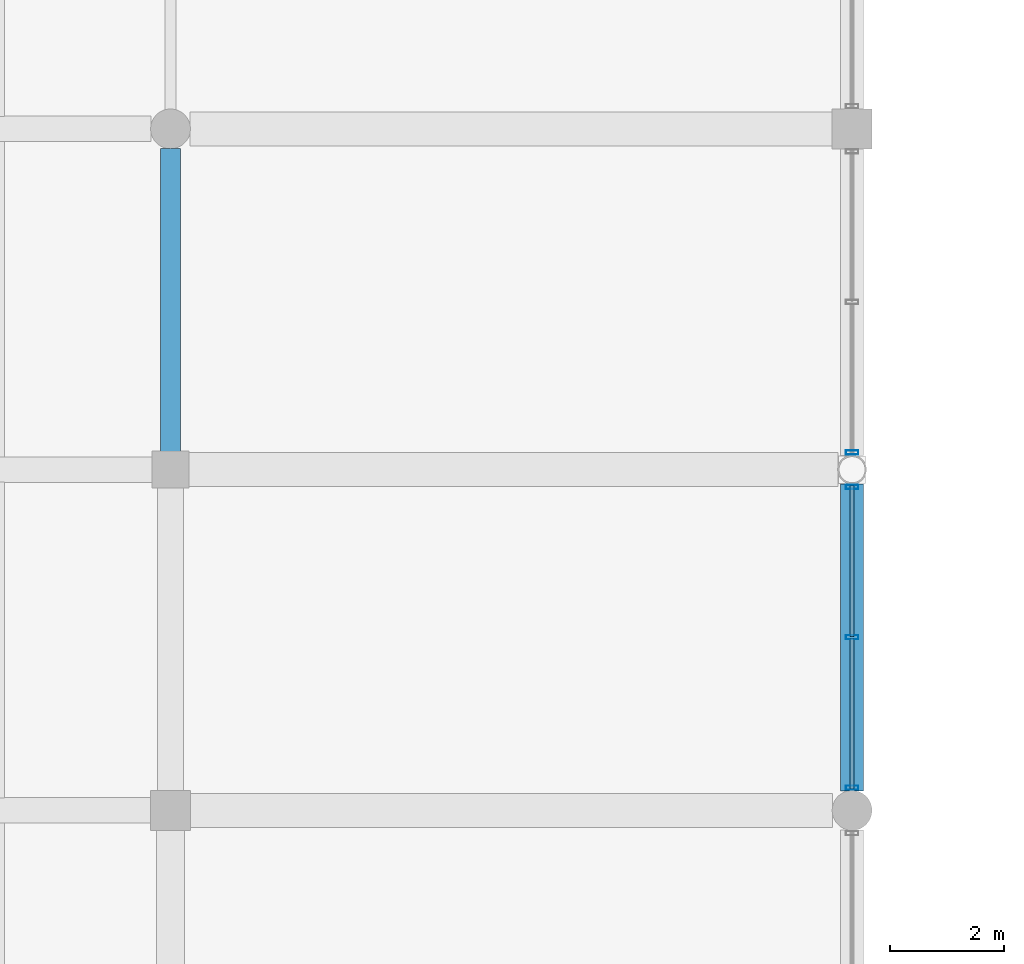
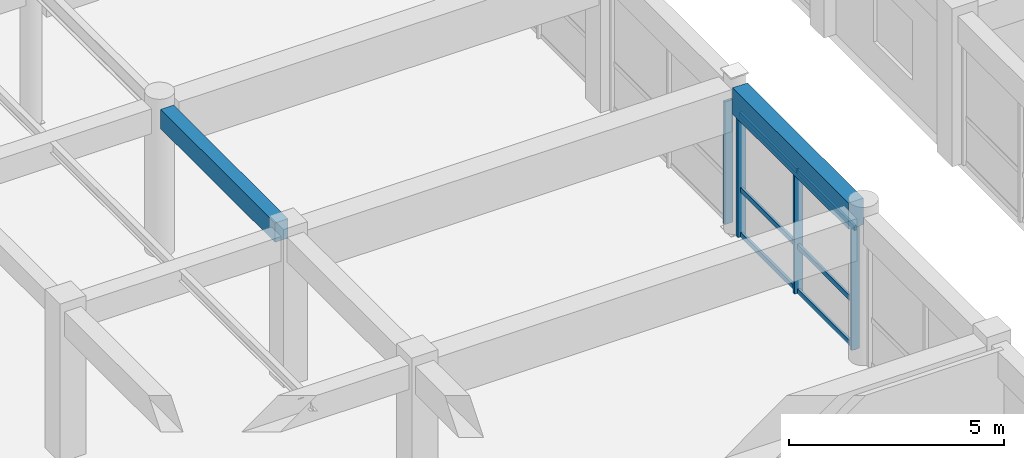
# One storey, part 52 of 116: 10 members, 2 beams, 2 elements without a shape of their own.
"""IFC4 building model written with IfcOpenShell, lengths in metres."""

from ifc_helpers import new_model, si_unit, direction, frame, origin, origin_2d, place, context, subcontext, project, spatial, rectangle, hollow_rectangle, extrude, material, material_profile, profile_set, type_object, element, aggregate, save


model = new_model("IFC4")

# Units and contexts
model_context = context("Model", 3, precision=1e-05, world=origin(), true_north=direction((0.0, 1.0)))
body_context = subcontext(model_context, "Body", "Model", "MODEL_VIEW")
ifc_project = project(units=[si_unit("LENGTHUNIT", "METRE"), si_unit("AREAUNIT", "SQUARE_METRE"), si_unit("VOLUMEUNIT", "CUBIC_METRE"), si_unit("PLANEANGLEUNIT", "RADIAN"), si_unit("MASSUNIT", "GRAM", prefix="KILO"), si_unit("THERMODYNAMICTEMPERATUREUNIT", "KELVIN"), si_unit("POWERUNIT", "WATT")], contexts=[model_context])

# Site, building, storey
site_placement = place(None, origin())
site = spatial("IfcSite", under=ifc_project, at=site_placement, CompositionType="ELEMENT")
building_placement = place(site_placement, origin())
building = spatial("IfcBuilding", under=site, at=building_placement, Name="Phaisarnlok Congress Hotel", CompositionType="ELEMENT")
storey_placement = place(building_placement, frame((0.0, 0.0, 10.5)))
storey = spatial("IfcBuildingStorey", under=building, at=storey_placement, Name="L02", CompositionType="ELEMENT", Elevation=10.5)

# Beam
ifc_material_1 = material(Name="Concrete C40/50", Category="concrete")
ifc_material_profile_1 = material_profile(ifc_material_1, rectangle(XDim=0.35009765625, YDim=0.550048828125, at=origin_2d()), Name="RC 350x550")
ifc_profile_set_1 = profile_set([ifc_material_profile_1], Name="Concrete C40/50")
beam_type_1 = type_object("IfcBeamType", Name="BM-RC-350x550", PredefinedType="BEAM", material=ifc_profile_set_1)
beam_1_placement = place(storey_placement, frame((144.0, 54.320068359375, 3.965087890625), z_axis=(0.0, 1.0, 0.0), x_axis=(-1.0, 0.0, 0.0)))
element("IfcBeam", 1, at=beam_1_placement, inside=storey, type_object=beam_type_1, Name="Beam B-01", PredefinedType="BEAM", context=body_context, shape_type="SweptSolid", body=[
    extrude(rectangle(XDim=0.35009765625, YDim=0.550048828125, at=origin_2d()), origin(), (0.0, 0.0, 1.0), 5.3349609375),
])

# Curtain wall, members
ifc_material_2 = material(Name="Thermally Broken Unitised Aluminium & Low-E Glazing", Category="aluminium")
curtain_wall_type = type_object("IfcCurtainWallType", Name="CW-UNIT-17", PredefinedType="NOTDEFINED", material=ifc_material_2)
curtain_wall_1_placement = place(storey_placement, origin())
curtain_wall_1 = element("IfcCurtainWall", 2, at=curtain_wall_1_placement, inside=storey, type_object=curtain_wall_type, Name="Unitised curtain wall CW-17 (L02)", PredefinedType="NOTDEFINED")
ifc_material_3 = material(Name="Anodised Aluminium Alloy 6063-T6", Category="aluminium")
ifc_material_profile_2 = material_profile(ifc_material_3, hollow_rectangle(XDim=0.074951171875, YDim=0.219970703125, WallThickness=0.0048828125, at=origin_2d()), Name="ALU-M 75x220x5")
ifc_profile_set_2 = profile_set([ifc_material_profile_2], Name="Anodised Aluminium Alloy 6063-T6")
member_type_1 = type_object("IfcMemberType", Name="CWM-220", PredefinedType="MULLION", material=ifc_profile_set_2)
member_1_placement = place(storey_placement, frame((156.0, 48.39990234375, 0.0), z_axis=(0.0, 0.0, 1.0), x_axis=(0.0, 1.0, 0.0)))
member_1 = element("IfcMember", 3, at=member_1_placement, type_object=member_type_1, Name="Curtain wall mullion CWM-02", PredefinedType="MULLION", context=body_context, shape_type="SweptSolid", body=[
    extrude(hollow_rectangle(XDim=0.074951171875, YDim=0.219970703125, WallThickness=0.0048828125, at=origin_2d()), origin(), (0.0, 0.0, 1.0), 3.489990234375),
])
member_2_placement = place(storey_placement, frame((156.0, 51.048095703125, 0.0), z_axis=(0.0, 0.0, 1.0), x_axis=(0.0, 1.0, 0.0)))
member_2 = element("IfcMember", 4, at=member_2_placement, type_object=member_type_1, Name="Curtain wall mullion CWM-02", PredefinedType="MULLION", context=body_context, shape_type="SweptSolid", body=[
    extrude(hollow_rectangle(XDim=0.074951171875, YDim=0.219970703125, WallThickness=0.0048828125, at=origin_2d()), origin(), (0.0, 0.0, 1.0), 3.489990234375),
])
member_3_placement = place(storey_placement, frame((156.0, 53.696044921875, 0.0), z_axis=(0.0, 0.0, 1.0), x_axis=(0.0, 1.0, 0.0)))
member_3 = element("IfcMember", 5, at=member_3_placement, type_object=member_type_1, Name="Curtain wall mullion CWM-02", PredefinedType="MULLION", context=body_context, shape_type="SweptSolid", body=[
    extrude(hollow_rectangle(XDim=0.074951171875, YDim=0.219970703125, WallThickness=0.0048828125, at=origin_2d()), origin(), (0.0, 0.0, 1.0), 3.489990234375),
])

# Curtain wall, member
curtain_wall_2_placement = place(storey_placement, origin())
curtain_wall_2 = element("IfcCurtainWall", 6, at=curtain_wall_2_placement, inside=storey, type_object=curtain_wall_type, Name="Unitised curtain wall CW-17 (L02)", PredefinedType="NOTDEFINED")
member_4_placement = place(storey_placement, frame((156.0, 54.303955078125, 0.0), z_axis=(0.0, 0.0, 1.0), x_axis=(0.0, 1.0, 0.0)))
member_4 = element("IfcMember", 7, at=member_4_placement, type_object=member_type_1, Name="Curtain wall mullion CWM-02", PredefinedType="MULLION", context=body_context, shape_type="SweptSolid", body=[
    extrude(hollow_rectangle(XDim=0.074951171875, YDim=0.219970703125, WallThickness=0.0048828125, at=origin_2d()), origin(), (0.0, 0.0, 1.0), 3.489990234375),
])
aggregate(curtain_wall_2, [member_4])

# Member
ifc_material_profile_3 = material_profile(ifc_material_3, hollow_rectangle(XDim=0.06494140625, YDim=0.139892578125, WallThickness=0.00390625, at=origin_2d()), Name="ALU-T 65x140x4")
ifc_profile_set_3 = profile_set([ifc_material_profile_3], Name="Anodised Aluminium Alloy 6063-T6")
member_type_2 = type_object("IfcMemberType", Name="CWT-150", PredefinedType="USERDEFINED", material=ifc_profile_set_3)
member_5_placement = place(storey_placement, frame((156.0, 48.375, 0.050048828125), z_axis=(0.0, 1.0, 0.0), x_axis=(-1.0, 0.0, 0.0)))
member_5 = element("IfcMember", 8, at=member_5_placement, type_object=member_type_2, Name="Curtain wall transom CWT-01", ObjectType="TRANSOM", PredefinedType="USERDEFINED", context=body_context, shape_type="SweptSolid", body=[
    extrude(hollow_rectangle(XDim=0.06494140625, YDim=0.139892578125, WallThickness=0.00390625, at=origin_2d()), origin(), (0.0, 0.0, 1.0), 2.657958984375),
])

member_6_placement = place(storey_placement, frame((156.0, 48.375, 1.326171875), z_axis=(0.0, 1.0, 0.0), x_axis=(-1.0, 0.0, 0.0)))
member_6 = element("IfcMember", 9, at=member_6_placement, type_object=member_type_2, Name="Curtain wall transom CWT-01", ObjectType="TRANSOM", PredefinedType="USERDEFINED", context=body_context, shape_type="SweptSolid", body=[
    extrude(hollow_rectangle(XDim=0.06494140625, YDim=0.139892578125, WallThickness=0.00390625, at=origin_2d()), origin(), (0.0, 0.0, 1.0), 2.657958984375),
])

member_7_placement = place(storey_placement, frame((156.0, 48.375, 3.43994140625), z_axis=(0.0, 1.0, 0.0), x_axis=(-1.0, 0.0, 0.0)))
member_7 = element("IfcMember", 10, at=member_7_placement, type_object=member_type_2, Name="Curtain wall transom CWT-01", ObjectType="TRANSOM", PredefinedType="USERDEFINED", context=body_context, shape_type="SweptSolid", body=[
    extrude(hollow_rectangle(XDim=0.06494140625, YDim=0.139892578125, WallThickness=0.00390625, at=origin_2d()), origin(), (0.0, 0.0, 1.0), 2.657958984375),
])

member_8_placement = place(storey_placement, frame((156.0, 51.06298828125, 0.050048828125), z_axis=(0.0, 1.0, 0.0), x_axis=(-1.0, 0.0, 0.0)))
member_8 = element("IfcMember", 11, at=member_8_placement, type_object=member_type_2, Name="Curtain wall transom CWT-01", ObjectType="TRANSOM", PredefinedType="USERDEFINED", context=body_context, shape_type="SweptSolid", body=[
    extrude(hollow_rectangle(XDim=0.06494140625, YDim=0.139892578125, WallThickness=0.00390625, at=origin_2d()), origin(), (0.0, 0.0, 1.0), 2.657958984375),
])

member_9_placement = place(storey_placement, frame((156.0, 51.06298828125, 1.326171875), z_axis=(0.0, 1.0, 0.0), x_axis=(-1.0, 0.0, 0.0)))
member_9 = element("IfcMember", 12, at=member_9_placement, type_object=member_type_2, Name="Curtain wall transom CWT-01", ObjectType="TRANSOM", PredefinedType="USERDEFINED", context=body_context, shape_type="SweptSolid", body=[
    extrude(hollow_rectangle(XDim=0.06494140625, YDim=0.139892578125, WallThickness=0.00390625, at=origin_2d()), origin(), (0.0, 0.0, 1.0), 2.657958984375),
])

member_10_placement = place(storey_placement, frame((156.0, 51.06298828125, 3.43994140625), z_axis=(0.0, 1.0, 0.0), x_axis=(-1.0, 0.0, 0.0)))
member_10 = element("IfcMember", 13, at=member_10_placement, type_object=member_type_2, Name="Curtain wall transom CWT-01", ObjectType="TRANSOM", PredefinedType="USERDEFINED", context=body_context, shape_type="SweptSolid", body=[
    extrude(hollow_rectangle(XDim=0.06494140625, YDim=0.139892578125, WallThickness=0.00390625, at=origin_2d()), origin(), (0.0, 0.0, 1.0), 2.657958984375),
])

aggregate(curtain_wall_1, [member_1, member_2, member_3, member_5, member_6, member_7, member_8, member_9, member_10])

# Beam
ifc_material_profile_4 = material_profile(ifc_material_1, rectangle(XDim=0.39990234375, YDim=0.75, at=origin_2d()), Name="RC 400x750")
ifc_profile_set_4 = profile_set([ifc_material_profile_4], Name="Concrete C40/50")
beam_type_2 = type_object("IfcBeamType", Name="SP-RC-400x750", PredefinedType="SPANDREL", material=ifc_profile_set_4)
beam_2_placement = place(storey_placement, frame((156.0, 48.344970703125, 3.864990234375), z_axis=(0.0, 1.0, 0.0), x_axis=(-1.0, 0.0, 0.0)))
element("IfcBeam", 14, at=beam_2_placement, inside=storey, type_object=beam_type_2, Name="Beam SP-02", PredefinedType="SPANDREL", context=body_context, shape_type="SweptSolid", body=[
    extrude(rectangle(XDim=0.39990234375, YDim=0.75, at=origin_2d()), origin(), (0.0, 0.0, 1.0), 5.406005859375),
])

save(model, "model.ifc")
